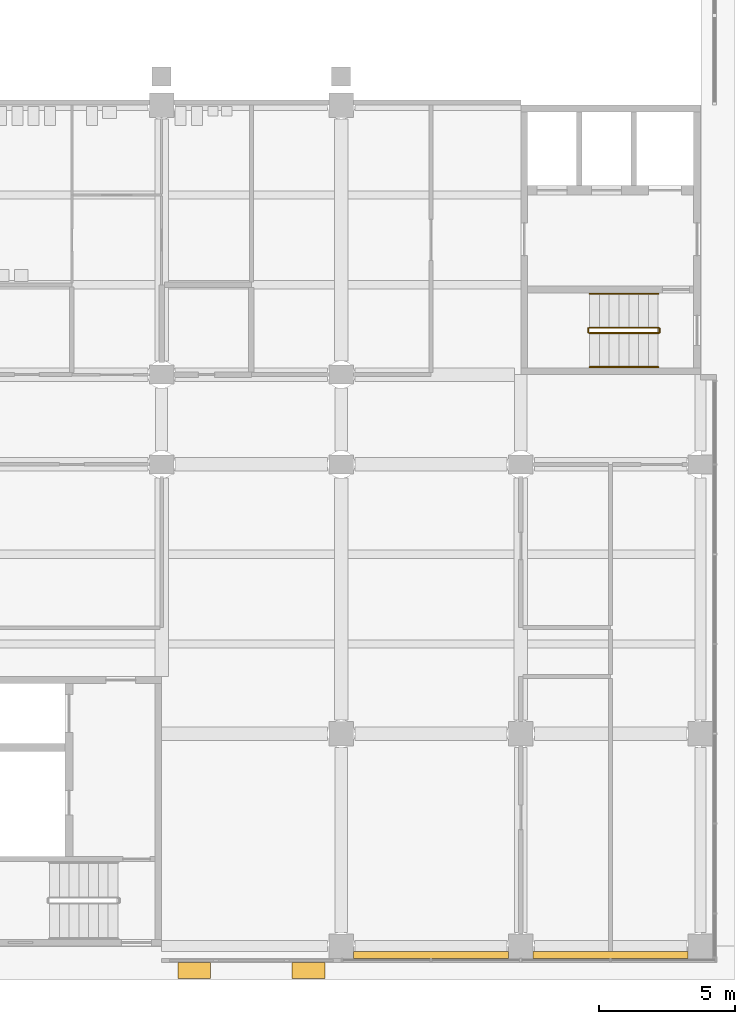
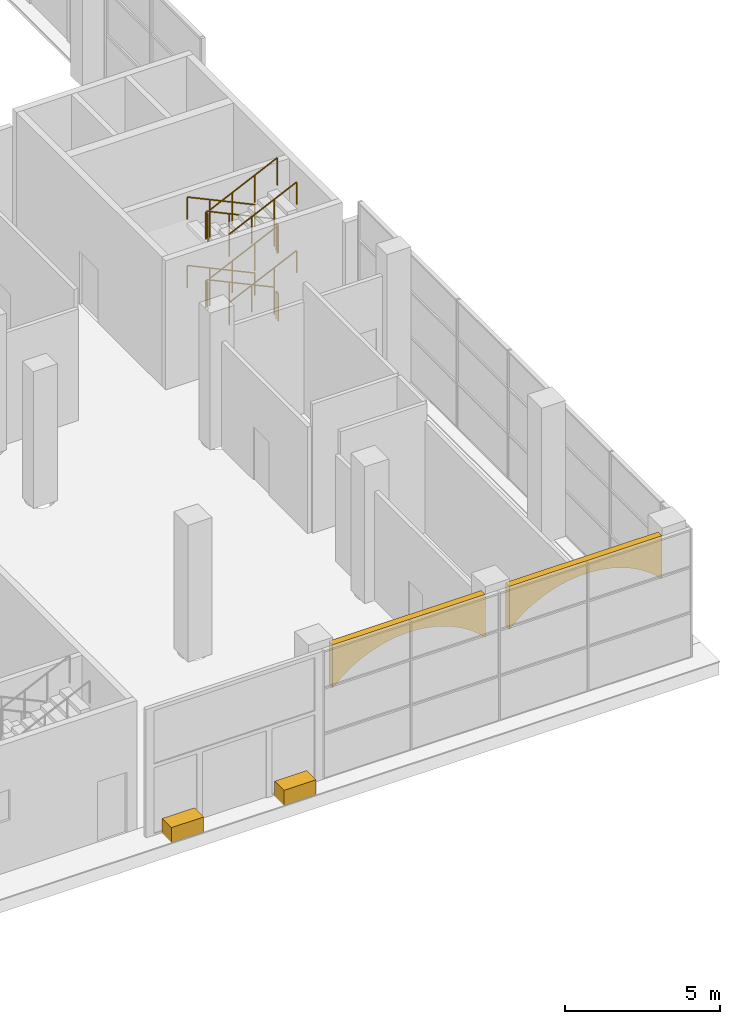
# One storey, part 60 of 85: 12 railings, 4 coverings.
"""IFC4 building model written with IfcOpenShell, lengths in metres."""

from ifc_helpers import new_model, si_unit, direction, frame, origin, origin_2d, place, context, subcontext, project, spatial, polyline, rectangle, circle, outline, extrude, material, layer, layer_set, type_object, element, save


model = new_model("IFC4")

# Units and contexts
model_context = context("Model", 3, precision=1e-05, world=origin(), true_north=direction((0.0, 1.0)))
body_context = subcontext(model_context, "Body", "Model", "MODEL_VIEW")
ifc_project = project(units=[si_unit("LENGTHUNIT", "METRE"), si_unit("AREAUNIT", "SQUARE_METRE"), si_unit("VOLUMEUNIT", "CUBIC_METRE"), si_unit("PLANEANGLEUNIT", "RADIAN"), si_unit("MASSUNIT", "GRAM", prefix="KILO")], contexts=[model_context])

# Site, building, storey
site_placement = place(None, origin())
site = spatial("IfcSite", under=ifc_project, at=site_placement, CompositionType="ELEMENT")
building_placement = place(site_placement, origin())
building = spatial("IfcBuilding", under=site, at=building_placement, Name="Lantern Court Research Institute", CompositionType="ELEMENT")
storey_placement = place(building_placement, origin())
storey = spatial("IfcBuildingStorey", under=building, at=storey_placement, Name="L00", CompositionType="ELEMENT", Elevation=0.0)

# Coverings
ifc_material_1 = material(Name="Glass fibre reinforced concrete cladding", Category="concrete")
ifc_layer_1 = layer(ifc_material_1, 0.25)
ifc_layer_set_1 = layer_set([ifc_layer_1], Name="Glass fibre reinforced concrete cladding")
covering_type_1 = type_object("IfcCoveringType", Name="Arcade frieze panel 250 glass fibre reinforced concrete", PredefinedType="CLADDING", material=ifc_layer_set_1)
covering_1_placement = place(storey_placement, frame((0.0, -8.0, 0.0), z_axis=(0.0, -1.0, 0.0), x_axis=(1.0, 0.0, 0.0)))
element("IfcCovering", 1, at=covering_1_placement, inside=storey, type_object=covering_type_1, Name="Arcade arched frieze panel 15", PredefinedType="CLADDING", context=body_context, shape_type="SweptSolid", body=[
    extrude(outline(polyline([(66.449951171875, 5.10009765625), (66.449951171875, 3.39990234375), (66.6875, 3.6240234375), (66.925048828125, 3.814697265625), (67.16259765625, 3.97802734375), (67.39990234375, 4.117919921875), (67.637451171875, 4.236572265625), (67.875, 4.33642578125), (68.112548828125, 4.4189453125), (68.35009765625, 4.485107421875), (68.58740234375, 4.535888671875), (68.824951171875, 4.571533203125), (69.0625, 4.593017578125), (69.300048828125, 4.60009765625), (69.53759765625, 4.593017578125), (69.77490234375, 4.571533203125), (70.012451171875, 4.535888671875), (70.25, 4.485107421875), (70.487548828125, 4.4189453125), (70.72509765625, 4.33642578125), (70.96240234375, 4.236572265625), (71.199951171875, 4.117919921875), (71.4375, 3.97802734375), (71.675048828125, 3.814697265625), (71.91259765625, 3.6240234375), (72.14990234375, 3.39990234375), (72.14990234375, 5.10009765625), (66.449951171875, 5.10009765625)])), origin(), (0.0, 0.0, 1.0), 0.25),
])
covering_2_placement = place(storey_placement, frame((0.0, -8.0, 0.0), z_axis=(0.0, -1.0, 0.0), x_axis=(1.0, 0.0, 0.0)))
element("IfcCovering", 2, at=covering_2_placement, inside=storey, type_object=covering_type_1, Name="Arcade arched frieze panel 16", PredefinedType="CLADDING", context=body_context, shape_type="SweptSolid", body=[
    extrude(outline(polyline([(73.050048828125, 5.10009765625), (73.050048828125, 3.39990234375), (73.28759765625, 3.6240234375), (73.52490234375, 3.814697265625), (73.762451171875, 3.97802734375), (74.0, 4.117919921875), (74.237548828125, 4.236572265625), (74.47509765625, 4.33642578125), (74.71240234375, 4.4189453125), (74.949951171875, 4.485107421875), (75.1875, 4.535888671875), (75.425048828125, 4.571533203125), (75.66259765625, 4.593017578125), (75.89990234375, 4.60009765625), (76.137451171875, 4.593017578125), (76.375, 4.571533203125), (76.612548828125, 4.535888671875), (76.85009765625, 4.485107421875), (77.08740234375, 4.4189453125), (77.324951171875, 4.33642578125), (77.5625, 4.236572265625), (77.800048828125, 4.117919921875), (78.03759765625, 3.97802734375), (78.27490234375, 3.814697265625), (78.512451171875, 3.6240234375), (78.75, 3.39990234375), (78.75, 5.10009765625), (73.050048828125, 5.10009765625)])), origin(), (0.0, 0.0, 1.0), 0.25),
])
ifc_material_2 = material(Name="Glass fibre reinforced concrete cladding", Category="concrete")
ifc_layer_2 = layer(ifc_material_2, 0.699951171875)
ifc_layer_set_2 = layer_set([ifc_layer_2], Name="Glass fibre reinforced concrete cladding")
covering_type_2 = type_object("IfcCoveringType", Name="Entrance planter 700 glass fibre reinforced concrete", PredefinedType="CLADDING", material=ifc_layer_set_2)
for number, where, z_axis, x_axis, name in (
    (3, (64.800048828125, -8.699951171875, 0.0), (0.0, 0.0, 1.0), (1.0, 0.0, 0.0), "Entrance planter 15"),
    (4, (60.60009765625, -8.699951171875, 0.0), (0.0, 0.0, 1.0), (1.0, 0.0, 0.0), "Entrance planter 16"),
):
    element("IfcCovering", number, at=place(storey_placement, frame(where, z_axis=z_axis, x_axis=x_axis)), inside=storey, type_object=covering_type_2, Name=name, PredefinedType="CLADDING", context=body_context, shape_type="SweptSolid", body=[
        extrude(rectangle(XDim=1.199951171875, YDim=0.60009765625, at=origin_2d()), origin(), (0.0, 0.0, 1.0), 0.60009765625),
    ])

# Railings
ifc_material_3 = material(Name="Structural steel S355", Category="steel")
railing_type_1 = type_object("IfcRailingType", Name="Stair guard 1100 steel", PredefinedType="GUARDRAIL", material=ifc_material_3)
railing_1_placement = place(storey_placement, frame((77.64990234375, 14.925048828125, 0.168701171875)))
element("IfcRailing", 5, at=railing_1_placement, inside=storey, type_object=railing_type_1, Name="L00 ST-T2 stair guard 1", PredefinedType="GUARDRAIL", context=body_context, shape_type="SweptSolid", body=[
    extrude(circle(Radius=0.02392578125, at=origin_2d()), frame((0.0, 0.0, 1.076171875), z_axis=(-0.905439972488, 0.0, 0.424474329284), x_axis=(0.0, -1.0, 0.0)), (0.0, 0.0, 1.0), 2.783203125),
    extrude(circle(Radius=0.02099609375, at=origin_2d()), origin(), (0.0, 0.0, 1.0), 1.052001953125),
    extrude(circle(Radius=0.02099609375, at=origin_2d()), frame((-0.840087890625, 0.0, 0.393798828125)), (0.0, 0.0, 1.0), 1.052001953125),
    extrude(circle(Radius=0.02099609375, at=origin_2d()), frame((-1.679931640625, 0.0, 0.78759765625)), (0.0, 0.0, 1.0), 1.052001953125),
    extrude(circle(Radius=0.02099609375, at=origin_2d()), frame((-2.52001953125, 0.0, 1.181396484375)), (0.0, 0.0, 1.0), 1.052001953125),
])
railing_2_placement = place(storey_placement, frame((75.080078125, 14.89990234375, 1.35009765625)))
element("IfcRailing", 6, at=railing_2_placement, inside=storey, type_object=railing_type_1, Name="L00 ST-T2 stair guard 2", PredefinedType="GUARDRAIL", context=body_context, shape_type="SweptSolid", body=[
    extrude(circle(Radius=0.02392578125, at=origin_2d()), frame((0.0, 0.0, 1.076171875), z_axis=(0.0, -1.0, 0.0), x_axis=(1.0, 0.0, 0.0)), (0.0, 0.0, 1.0), 0.14990234375),
    extrude(circle(Radius=0.02099609375, at=origin_2d()), origin(), (0.0, 0.0, 1.0), 1.052001953125),
    extrude(circle(Radius=0.02099609375, at=origin_2d()), frame((0.0, -0.14990234375, 0.0)), (0.0, 0.0, 1.0), 1.052001953125),
])
railing_3_placement = place(storey_placement, frame((75.1298828125, 14.72509765625, 1.518798828125)))
element("IfcRailing", 7, at=railing_3_placement, inside=storey, type_object=railing_type_1, Name="L00 ST-T2 stair guard 3", PredefinedType="GUARDRAIL", context=body_context, shape_type="SweptSolid", body=[
    extrude(circle(Radius=0.02392578125, at=origin_2d()), frame((0.0, 0.0, 1.076171875), z_axis=(0.905473684625, 0.0, 0.424402410988), x_axis=(0.0, 1.0, 0.0)), (0.0, 0.0, 1.0), 2.783203125),
    extrude(circle(Radius=0.02099609375, at=origin_2d()), origin(), (0.0, 0.0, 1.0), 1.052001953125),
    extrude(circle(Radius=0.02099609375, at=origin_2d()), frame((0.840087890625, 0.0, 0.393798828125)), (0.0, 0.0, 1.0), 1.052001953125),
    extrude(circle(Radius=0.02099609375, at=origin_2d()), frame((1.679931640625, 0.0, 0.787353515625)), (0.0, 0.0, 1.0), 1.052001953125),
    extrude(circle(Radius=0.02099609375, at=origin_2d()), frame((2.52001953125, 0.0, 1.18115234375)), (0.0, 0.0, 1.0), 1.052001953125),
])
railing_4_placement = place(storey_placement, frame((77.699951171875, 14.89990234375, 2.699951171875)))
element("IfcRailing", 8, at=railing_4_placement, inside=storey, type_object=railing_type_1, Name="L00 ST-T2 stair guard 4", PredefinedType="GUARDRAIL", context=body_context, shape_type="SweptSolid", body=[
    extrude(circle(Radius=0.02392578125, at=origin_2d()), frame((0.0, 0.0, 1.076171875), z_axis=(0.0, -1.0, 0.0), x_axis=(1.0, 0.0, 0.0)), (0.0, 0.0, 1.0), 0.14990234375),
    extrude(circle(Radius=0.02099609375, at=origin_2d()), origin(), (0.0, 0.0, 1.0), 1.052001953125),
    extrude(circle(Radius=0.02099609375, at=origin_2d()), frame((0.0, -0.14990234375, 0.0)), (0.0, 0.0, 1.0), 1.052001953125),
])
railing_5_placement = place(storey_placement, frame((77.64990234375, 14.925048828125, 2.86865234375)))
element("IfcRailing", 9, at=railing_5_placement, inside=storey, type_object=railing_type_1, Name="L00 ST-T2 stair guard 5", PredefinedType="GUARDRAIL", context=body_context, shape_type="SweptSolid", body=[
    extrude(circle(Radius=0.02392578125, at=origin_2d()), frame((0.0, 0.0, 1.076171875), z_axis=(-0.905439972488, 0.0, 0.424474329284), x_axis=(0.0, -1.0, 0.0)), (0.0, 0.0, 1.0), 2.783203125),
    extrude(circle(Radius=0.02099609375, at=origin_2d()), origin(), (0.0, 0.0, 1.0), 1.052001953125),
    extrude(circle(Radius=0.02099609375, at=origin_2d()), frame((-0.840087890625, 0.0, 0.393798828125)), (0.0, 0.0, 1.0), 1.052001953125),
    extrude(circle(Radius=0.02099609375, at=origin_2d()), frame((-1.679931640625, 0.0, 0.78759765625)), (0.0, 0.0, 1.0), 1.052001953125),
    extrude(circle(Radius=0.02099609375, at=origin_2d()), frame((-2.52001953125, 0.0, 1.181396484375)), (0.0, 0.0, 1.0), 1.052001953125),
])
railing_6_placement = place(storey_placement, frame((75.080078125, 14.89990234375, 4.050048828125)))
element("IfcRailing", 10, at=railing_6_placement, inside=storey, type_object=railing_type_1, Name="L00 ST-T2 stair guard 6", PredefinedType="GUARDRAIL", context=body_context, shape_type="SweptSolid", body=[
    extrude(circle(Radius=0.02392578125, at=origin_2d()), frame((0.0, 0.0, 1.076171875), z_axis=(0.0, -1.0, 0.0), x_axis=(1.0, 0.0, 0.0)), (0.0, 0.0, 1.0), 0.14990234375),
    extrude(circle(Radius=0.02099609375, at=origin_2d()), origin(), (0.0, 0.0, 1.0), 1.052001953125),
    extrude(circle(Radius=0.02099609375, at=origin_2d()), frame((0.0, -0.14990234375, 0.0)), (0.0, 0.0, 1.0), 1.052001953125),
])
railing_7_placement = place(storey_placement, frame((75.1298828125, 14.72509765625, 4.21875)))
element("IfcRailing", 11, at=railing_7_placement, inside=storey, type_object=railing_type_1, Name="L00 ST-T2 stair guard 7", PredefinedType="GUARDRAIL", context=body_context, shape_type="SweptSolid", body=[
    extrude(circle(Radius=0.02392578125, at=origin_2d()), frame((0.0, 0.0, 1.076171875), z_axis=(0.905473684625, 0.0, 0.424402410988), x_axis=(0.0, 1.0, 0.0)), (0.0, 0.0, 1.0), 2.783203125),
    extrude(circle(Radius=0.02099609375, at=origin_2d()), origin(), (0.0, 0.0, 1.0), 1.052001953125),
    extrude(circle(Radius=0.02099609375, at=origin_2d()), frame((0.840087890625, 0.0, 0.393798828125)), (0.0, 0.0, 1.0), 1.052001953125),
    extrude(circle(Radius=0.02099609375, at=origin_2d()), frame((1.679931640625, 0.0, 0.787353515625)), (0.0, 0.0, 1.0), 1.052001953125),
    extrude(circle(Radius=0.02099609375, at=origin_2d()), frame((2.52001953125, 0.0, 1.18115234375)), (0.0, 0.0, 1.0), 1.052001953125),
])
railing_8_placement = place(storey_placement, frame((77.699951171875, 14.89990234375, 0.0)))
element("IfcRailing", 12, at=railing_8_placement, inside=storey, type_object=railing_type_1, Name="L00 ST-T2 stair guard 8", PredefinedType="GUARDRAIL", context=body_context, shape_type="SweptSolid", body=[
    extrude(circle(Radius=0.02392578125, at=origin_2d()), frame((0.0, 0.0, 1.076171875), z_axis=(0.0, -1.0, 0.0), x_axis=(1.0, 0.0, 0.0)), (0.0, 0.0, 1.0), 0.14990234375),
    extrude(circle(Radius=0.02099609375, at=origin_2d()), origin(), (0.0, 0.0, 1.0), 1.052001953125),
    extrude(circle(Radius=0.02099609375, at=origin_2d()), frame((0.0, -0.14990234375, 0.0)), (0.0, 0.0, 1.0), 1.052001953125),
])
ifc_material_4 = material(Name="Stainless steel 316", Category="steel")
railing_type_2 = type_object("IfcRailingType", Name="Stair handrail 900 steel", PredefinedType="HANDRAIL", material=ifc_material_4)
railing_9_placement = place(storey_placement, frame((77.64990234375, 16.175048828125, 0.168701171875)))
element("IfcRailing", 13, at=railing_9_placement, inside=storey, type_object=railing_type_2, Name="L00 ST-T2 stair handrail 1", PredefinedType="HANDRAIL", context=body_context, shape_type="SweptSolid", body=[
    extrude(circle(Radius=0.02392578125, at=origin_2d()), frame((0.0, 0.0, 0.8759765625), z_axis=(-0.905439972488, 0.0, 0.424474329284), x_axis=(0.0, -1.0, 0.0)), (0.0, 0.0, 1.0), 2.783203125),
    extrude(circle(Radius=0.02099609375, at=origin_2d()), origin(), (0.0, 0.0, 1.0), 0.851806640625),
    extrude(circle(Radius=0.02099609375, at=origin_2d()), frame((-0.840087890625, 0.0, 0.393798828125)), (0.0, 0.0, 1.0), 0.851806640625),
    extrude(circle(Radius=0.02099609375, at=origin_2d()), frame((-1.679931640625, 0.0, 0.78759765625)), (0.0, 0.0, 1.0), 0.851806640625),
    extrude(circle(Radius=0.02099609375, at=origin_2d()), frame((-2.52001953125, 0.0, 1.181396484375)), (0.0, 0.0, 1.0), 0.851806640625),
])
railing_10_placement = place(storey_placement, frame((75.1298828125, 13.47509765625, 1.518798828125)))
element("IfcRailing", 14, at=railing_10_placement, inside=storey, type_object=railing_type_2, Name="L00 ST-T2 stair handrail 2", PredefinedType="HANDRAIL", context=body_context, shape_type="SweptSolid", body=[
    extrude(circle(Radius=0.02392578125, at=origin_2d()), frame((0.0, 0.0, 0.8759765625), z_axis=(0.905473684625, 0.0, 0.424402410988), x_axis=(0.0, 1.0, 0.0)), (0.0, 0.0, 1.0), 2.783203125),
    extrude(circle(Radius=0.02099609375, at=origin_2d()), origin(), (0.0, 0.0, 1.0), 0.851806640625),
    extrude(circle(Radius=0.02099609375, at=origin_2d()), frame((0.840087890625, 0.0, 0.393798828125)), (0.0, 0.0, 1.0), 0.851806640625),
    extrude(circle(Radius=0.02099609375, at=origin_2d()), frame((1.679931640625, 0.0, 0.787353515625)), (0.0, 0.0, 1.0), 0.851806640625),
    extrude(circle(Radius=0.02099609375, at=origin_2d()), frame((2.52001953125, 0.0, 1.18115234375)), (0.0, 0.0, 1.0), 0.851806640625),
])
railing_11_placement = place(storey_placement, frame((77.64990234375, 16.175048828125, 2.86865234375)))
element("IfcRailing", 15, at=railing_11_placement, inside=storey, type_object=railing_type_2, Name="L00 ST-T2 stair handrail 3", PredefinedType="HANDRAIL", context=body_context, shape_type="SweptSolid", body=[
    extrude(circle(Radius=0.02392578125, at=origin_2d()), frame((0.0, 0.0, 0.8759765625), z_axis=(-0.905439972488, 0.0, 0.424474329284), x_axis=(0.0, -1.0, 0.0)), (0.0, 0.0, 1.0), 2.783203125),
    extrude(circle(Radius=0.02099609375, at=origin_2d()), origin(), (0.0, 0.0, 1.0), 0.851806640625),
    extrude(circle(Radius=0.02099609375, at=origin_2d()), frame((-0.840087890625, 0.0, 0.393798828125)), (0.0, 0.0, 1.0), 0.851806640625),
    extrude(circle(Radius=0.02099609375, at=origin_2d()), frame((-1.679931640625, 0.0, 0.78759765625)), (0.0, 0.0, 1.0), 0.851806640625),
    extrude(circle(Radius=0.02099609375, at=origin_2d()), frame((-2.52001953125, 0.0, 1.181396484375)), (0.0, 0.0, 1.0), 0.851806640625),
])
railing_12_placement = place(storey_placement, frame((75.1298828125, 13.47509765625, 4.21875)))
element("IfcRailing", 16, at=railing_12_placement, inside=storey, type_object=railing_type_2, Name="L00 ST-T2 stair handrail 4", PredefinedType="HANDRAIL", context=body_context, shape_type="SweptSolid", body=[
    extrude(circle(Radius=0.02392578125, at=origin_2d()), frame((0.0, 0.0, 0.8759765625), z_axis=(0.905473684625, 0.0, 0.424402410988), x_axis=(0.0, 1.0, 0.0)), (0.0, 0.0, 1.0), 2.783203125),
    extrude(circle(Radius=0.02099609375, at=origin_2d()), origin(), (0.0, 0.0, 1.0), 0.851806640625),
    extrude(circle(Radius=0.02099609375, at=origin_2d()), frame((0.840087890625, 0.0, 0.393798828125)), (0.0, 0.0, 1.0), 0.851806640625),
    extrude(circle(Radius=0.02099609375, at=origin_2d()), frame((1.679931640625, 0.0, 0.787353515625)), (0.0, 0.0, 1.0), 0.851806640625),
    extrude(circle(Radius=0.02099609375, at=origin_2d()), frame((2.52001953125, 0.0, 1.18115234375)), (0.0, 0.0, 1.0), 0.851806640625),
])

save(model, "model.ifc")
